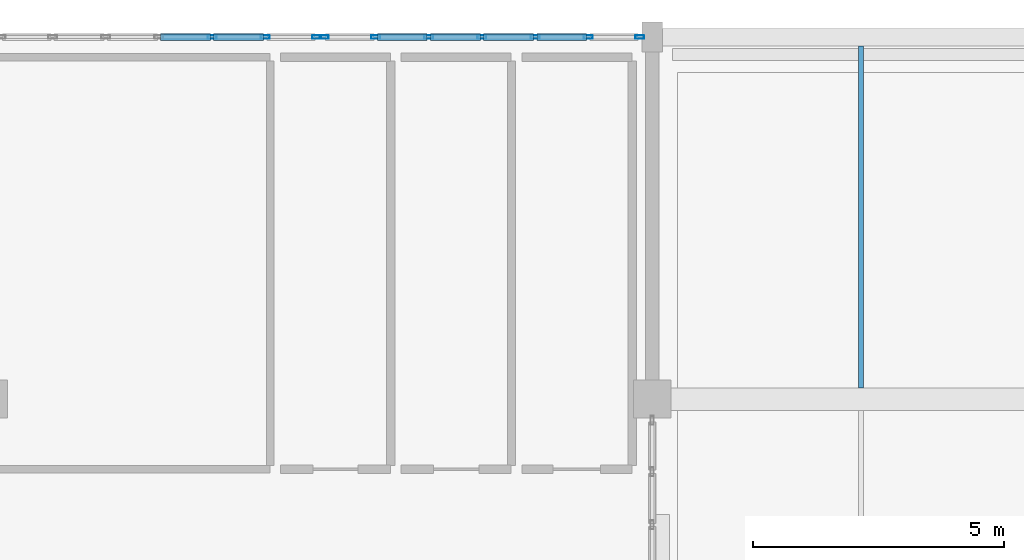
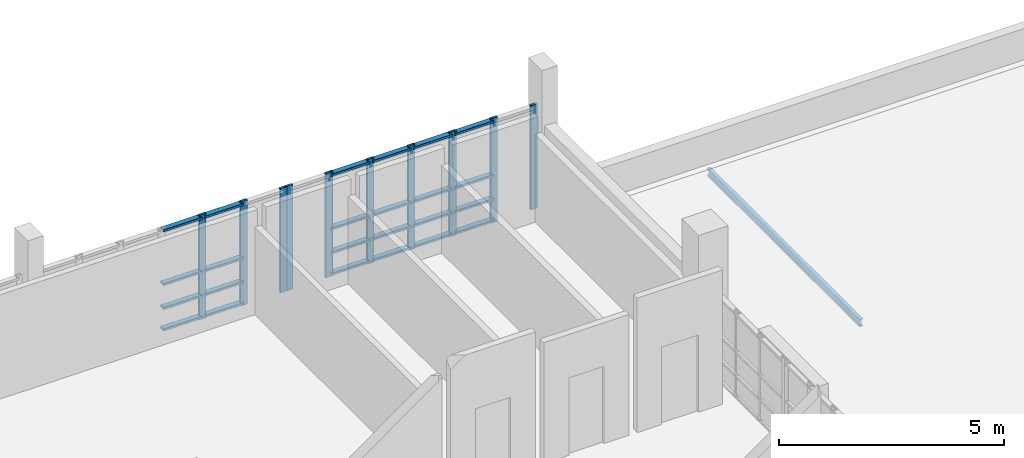
# One storey, part 125 of 188: 34 members, 1 beam, 2 elements without a shape of their own.
"""IFC4 building model written with IfcOpenShell, lengths in metres."""

from ifc_helpers import new_model, si_unit, direction, frame, origin, origin_2d, place, context, subcontext, project, spatial, hollow_rectangle, i_section, extrude, material, layer, layer_set, material_profile, profile_set, type_object, element, aggregate, save


model = new_model("IFC4")

# Units and contexts
model_context = context("Model", 3, precision=1e-05, world=origin(), true_north=direction((0.0, 1.0)))
body_context = subcontext(model_context, "Body", "Model", "MODEL_VIEW")
ifc_project = project(units=[si_unit("LENGTHUNIT", "METRE"), si_unit("AREAUNIT", "SQUARE_METRE"), si_unit("VOLUMEUNIT", "CUBIC_METRE"), si_unit("PLANEANGLEUNIT", "RADIAN"), si_unit("MASSUNIT", "GRAM", prefix="KILO")], contexts=[model_context])

# Site, building, storey
site_placement = place(None, origin())
site = spatial("IfcSite", under=ifc_project, at=site_placement, CompositionType="ELEMENT")
building_placement = place(site_placement, origin())
building = spatial("IfcBuilding", under=site, at=building_placement, Name="Kisaragi Civic Commons", CompositionType="ELEMENT")
storey_placement = place(building_placement, frame((0.0, 0.0, 9.60009765625)))
storey = spatial("IfcBuildingStorey", under=building, at=storey_placement, Name="L02", CompositionType="ELEMENT", Elevation=9.60009765625)

# Curtain wall, members
ifc_material_1 = material(Name="Thermally broken anodized aluminium and low-E double glazing", Category="aluminium")
ifc_layer = layer(ifc_material_1, 0.179931640625, Name="Thermally broken anodized aluminium and low-E double glazing", Category="aluminium")
ifc_layer_set = layer_set([ifc_layer], Name="Thermally broken anodized aluminium and low-E double glazing")
curtain_wall_type = type_object("IfcCurtainWallType", Name="CW-01", PredefinedType="NOTDEFINED", material=ifc_layer_set)
curtain_wall_1_placement = place(storey_placement, origin())
curtain_wall_1 = element("IfcCurtainWall", 1, at=curtain_wall_1_placement, inside=storey, type_object=curtain_wall_type, Name="L02 curtain wall CW-01 CW-V4-L02-087", PredefinedType="NOTDEFINED")
ifc_material_profile_1 = material_profile(ifc_material_1, hollow_rectangle(XDim=0.06494140625, YDim=0.179931640625, WallThickness=0.00439453125, InnerFilletRadius=0.00439453125, OuterFilletRadius=0.009033203125, at=origin_2d()), Name="CWM-65x180x4.5", Category="aluminium")
ifc_profile_set_1 = profile_set([ifc_material_profile_1], Name="Thermally broken anodized aluminium and low-E double glazing")
member_type_1 = type_object("IfcMemberType", Name="CWM-02", PredefinedType="MULLION", material=ifc_profile_set_1)
member_1_placement = place(storey_placement, frame((137.64501953125, 118.800048828125, 0.0), z_axis=(0.0, 0.0, 1.0), x_axis=(0.0, 1.0, 0.0)))
member_1 = element("IfcMember", 2, at=member_1_placement, type_object=member_type_1, Name="CW-01 mullion 5", PredefinedType="MULLION", context=body_context, shape_type="SweptSolid", body=[
    extrude(hollow_rectangle(XDim=0.06494140625, YDim=0.179931640625, WallThickness=0.00439453125, InnerFilletRadius=0.00439453125, OuterFilletRadius=0.009033203125, at=origin_2d()), origin(), (0.0, 0.0, 1.0), 2.829833984375),
])
member_2_placement = place(storey_placement, frame((138.702392578125, 118.800048828125, 0.0), z_axis=(0.0, 0.0, 1.0), x_axis=(0.0, 1.0, 0.0)))
member_2 = element("IfcMember", 3, at=member_2_placement, type_object=member_type_1, Name="CW-01 mullion 6", PredefinedType="MULLION", context=body_context, shape_type="SweptSolid", body=[
    extrude(hollow_rectangle(XDim=0.06494140625, YDim=0.179931640625, WallThickness=0.00439453125, InnerFilletRadius=0.00439453125, OuterFilletRadius=0.009033203125, at=origin_2d()), origin(), (0.0, 0.0, 1.0), 2.829833984375),
])
member_3_placement = place(storey_placement, frame((139.7275390625, 118.800048828125, 0.0), z_axis=(0.0, 0.0, 1.0), x_axis=(0.0, 1.0, 0.0)))
member_3 = element("IfcMember", 4, at=member_3_placement, type_object=member_type_1, Name="CW-01 mullion 7", PredefinedType="MULLION", context=body_context, shape_type="SweptSolid", body=[
    extrude(hollow_rectangle(XDim=0.06494140625, YDim=0.179931640625, WallThickness=0.00439453125, InnerFilletRadius=0.00439453125, OuterFilletRadius=0.009033203125, at=origin_2d()), origin(), (0.0, 0.0, 1.0), 2.829833984375),
])

curtain_wall_2_placement = place(storey_placement, origin())
curtain_wall_2 = element("IfcCurtainWall", 5, at=curtain_wall_2_placement, inside=storey, type_object=curtain_wall_type, Name="L02 curtain wall CW-01 CW-V4-L02-088", PredefinedType="NOTDEFINED")
member_4_placement = place(storey_placement, frame((139.87255859375, 118.800048828125, 0.0), z_axis=(0.0, 0.0, 1.0), x_axis=(0.0, 1.0, 0.0)))
member_4 = element("IfcMember", 6, at=member_4_placement, type_object=member_type_1, Name="CW-01 mullion 1", PredefinedType="MULLION", context=body_context, shape_type="SweptSolid", body=[
    extrude(hollow_rectangle(XDim=0.06494140625, YDim=0.179931640625, WallThickness=0.00439453125, InnerFilletRadius=0.00439453125, OuterFilletRadius=0.009033203125, at=origin_2d()), origin(), (0.0, 0.0, 1.0), 2.829833984375),
])
member_5_placement = place(storey_placement, frame((140.8974609375, 118.800048828125, 0.0), z_axis=(0.0, 0.0, 1.0), x_axis=(0.0, 1.0, 0.0)))
member_5 = element("IfcMember", 7, at=member_5_placement, type_object=member_type_1, Name="CW-01 mullion 2", PredefinedType="MULLION", context=body_context, shape_type="SweptSolid", body=[
    extrude(hollow_rectangle(XDim=0.06494140625, YDim=0.179931640625, WallThickness=0.00439453125, InnerFilletRadius=0.00439453125, OuterFilletRadius=0.009033203125, at=origin_2d()), origin(), (0.0, 0.0, 1.0), 2.829833984375),
])
member_6_placement = place(storey_placement, frame((141.955078125, 118.800048828125, 0.0), z_axis=(0.0, 0.0, 1.0), x_axis=(0.0, 1.0, 0.0)))
member_6 = element("IfcMember", 8, at=member_6_placement, type_object=member_type_1, Name="CW-01 mullion 3", PredefinedType="MULLION", context=body_context, shape_type="SweptSolid", body=[
    extrude(hollow_rectangle(XDim=0.06494140625, YDim=0.179931640625, WallThickness=0.00439453125, InnerFilletRadius=0.00439453125, OuterFilletRadius=0.009033203125, at=origin_2d()), origin(), (0.0, 0.0, 1.0), 2.829833984375),
])
member_7_placement = place(storey_placement, frame((143.012451171875, 118.800048828125, 0.0), z_axis=(0.0, 0.0, 1.0), x_axis=(0.0, 1.0, 0.0)))
member_7 = element("IfcMember", 9, at=member_7_placement, type_object=member_type_1, Name="CW-01 mullion 4", PredefinedType="MULLION", context=body_context, shape_type="SweptSolid", body=[
    extrude(hollow_rectangle(XDim=0.06494140625, YDim=0.179931640625, WallThickness=0.00439453125, InnerFilletRadius=0.00439453125, OuterFilletRadius=0.009033203125, at=origin_2d()), origin(), (0.0, 0.0, 1.0), 2.829833984375),
])
member_8_placement = place(storey_placement, frame((144.070068359375, 118.800048828125, 0.0), z_axis=(0.0, 0.0, 1.0), x_axis=(0.0, 1.0, 0.0)))
member_8 = element("IfcMember", 10, at=member_8_placement, type_object=member_type_1, Name="CW-01 mullion 5", PredefinedType="MULLION", context=body_context, shape_type="SweptSolid", body=[
    extrude(hollow_rectangle(XDim=0.06494140625, YDim=0.179931640625, WallThickness=0.00439453125, InnerFilletRadius=0.00439453125, OuterFilletRadius=0.009033203125, at=origin_2d()), origin(), (0.0, 0.0, 1.0), 2.829833984375),
])
member_9_placement = place(storey_placement, frame((145.12744140625, 118.800048828125, 0.0), z_axis=(0.0, 0.0, 1.0), x_axis=(0.0, 1.0, 0.0)))
member_9 = element("IfcMember", 11, at=member_9_placement, type_object=member_type_1, Name="CW-01 mullion 6", PredefinedType="MULLION", context=body_context, shape_type="SweptSolid", body=[
    extrude(hollow_rectangle(XDim=0.06494140625, YDim=0.179931640625, WallThickness=0.00439453125, InnerFilletRadius=0.00439453125, OuterFilletRadius=0.009033203125, at=origin_2d()), origin(), (0.0, 0.0, 1.0), 2.829833984375),
])
member_10_placement = place(storey_placement, frame((146.152587890625, 118.800048828125, 0.0), z_axis=(0.0, 0.0, 1.0), x_axis=(0.0, 1.0, 0.0)))
member_10 = element("IfcMember", 12, at=member_10_placement, type_object=member_type_1, Name="CW-01 mullion 7", PredefinedType="MULLION", context=body_context, shape_type="SweptSolid", body=[
    extrude(hollow_rectangle(XDim=0.06494140625, YDim=0.179931640625, WallThickness=0.00439453125, InnerFilletRadius=0.00439453125, OuterFilletRadius=0.009033203125, at=origin_2d()), origin(), (0.0, 0.0, 1.0), 2.829833984375),
])

# Member
ifc_material_profile_2 = material_profile(ifc_material_1, hollow_rectangle(XDim=0.139892578125, YDim=0.06494140625, WallThickness=0.00439453125, InnerFilletRadius=0.00439453125, OuterFilletRadius=0.009033203125, at=origin_2d()), Name="CWT-65x140x4.5", Category="aluminium")
ifc_profile_set_2 = profile_set([ifc_material_profile_2], Name="Thermally broken anodized aluminium and low-E double glazing")
member_type_2 = type_object("IfcMemberType", Name="CWT-02", PredefinedType="USERDEFINED", material=ifc_profile_set_2)
member_11_placement = place(storey_placement, frame((136.6201171875, 118.800048828125, 0.06982421875), z_axis=(1.0, 0.0, 0.0), x_axis=(0.0, 1.0, 0.0)))
member_11 = element("IfcMember", 13, at=member_11_placement, type_object=member_type_2, Name="CW-01 transom 4.1", ObjectType="TRANSOM", PredefinedType="USERDEFINED", context=body_context, shape_type="SweptSolid", body=[
    extrude(hollow_rectangle(XDim=0.139892578125, YDim=0.06494140625, WallThickness=0.00439453125, InnerFilletRadius=0.00439453125, OuterFilletRadius=0.009033203125, at=origin_2d()), origin(), (0.0, 0.0, 1.0), 0.992431640625),
])

member_12_placement = place(storey_placement, frame((136.6201171875, 118.800048828125, 0.64990234375), z_axis=(1.0, 0.0, 0.0), x_axis=(0.0, 1.0, 0.0)))
member_12 = element("IfcMember", 14, at=member_12_placement, type_object=member_type_2, Name="CW-01 transom 4.2", ObjectType="TRANSOM", PredefinedType="USERDEFINED", context=body_context, shape_type="SweptSolid", body=[
    extrude(hollow_rectangle(XDim=0.139892578125, YDim=0.06494140625, WallThickness=0.00439453125, InnerFilletRadius=0.00439453125, OuterFilletRadius=0.009033203125, at=origin_2d()), origin(), (0.0, 0.0, 1.0), 0.992431640625),
])

member_13_placement = place(storey_placement, frame((136.6201171875, 118.800048828125, 1.2998046875), z_axis=(1.0, 0.0, 0.0), x_axis=(0.0, 1.0, 0.0)))
member_13 = element("IfcMember", 15, at=member_13_placement, type_object=member_type_2, Name="CW-01 transom 4.3", ObjectType="TRANSOM", PredefinedType="USERDEFINED", context=body_context, shape_type="SweptSolid", body=[
    extrude(hollow_rectangle(XDim=0.139892578125, YDim=0.06494140625, WallThickness=0.00439453125, InnerFilletRadius=0.00439453125, OuterFilletRadius=0.009033203125, at=origin_2d()), origin(), (0.0, 0.0, 1.0), 0.992431640625),
])

member_14_placement = place(storey_placement, frame((136.6201171875, 118.800048828125, 2.760009765625), z_axis=(1.0, 0.0, 0.0), x_axis=(0.0, 1.0, 0.0)))
member_14 = element("IfcMember", 16, at=member_14_placement, type_object=member_type_2, Name="CW-01 transom 4.4", ObjectType="TRANSOM", PredefinedType="USERDEFINED", context=body_context, shape_type="SweptSolid", body=[
    extrude(hollow_rectangle(XDim=0.139892578125, YDim=0.06494140625, WallThickness=0.00439453125, InnerFilletRadius=0.00439453125, OuterFilletRadius=0.009033203125, at=origin_2d()), origin(), (0.0, 0.0, 1.0), 0.992431640625),
])

member_15_placement = place(storey_placement, frame((137.677490234375, 118.800048828125, 0.06982421875), z_axis=(1.0, 0.0, 0.0), x_axis=(0.0, 1.0, 0.0)))
member_15 = element("IfcMember", 17, at=member_15_placement, type_object=member_type_2, Name="CW-01 transom 5.1", ObjectType="TRANSOM", PredefinedType="USERDEFINED", context=body_context, shape_type="SweptSolid", body=[
    extrude(hollow_rectangle(XDim=0.139892578125, YDim=0.06494140625, WallThickness=0.00439453125, InnerFilletRadius=0.00439453125, OuterFilletRadius=0.009033203125, at=origin_2d()), origin(), (0.0, 0.0, 1.0), 0.992431640625),
])

member_16_placement = place(storey_placement, frame((137.677490234375, 118.800048828125, 0.64990234375), z_axis=(1.0, 0.0, 0.0), x_axis=(0.0, 1.0, 0.0)))
member_16 = element("IfcMember", 18, at=member_16_placement, type_object=member_type_2, Name="CW-01 transom 5.2", ObjectType="TRANSOM", PredefinedType="USERDEFINED", context=body_context, shape_type="SweptSolid", body=[
    extrude(hollow_rectangle(XDim=0.139892578125, YDim=0.06494140625, WallThickness=0.00439453125, InnerFilletRadius=0.00439453125, OuterFilletRadius=0.009033203125, at=origin_2d()), origin(), (0.0, 0.0, 1.0), 0.992431640625),
])

member_17_placement = place(storey_placement, frame((137.677490234375, 118.800048828125, 1.2998046875), z_axis=(1.0, 0.0, 0.0), x_axis=(0.0, 1.0, 0.0)))
member_17 = element("IfcMember", 19, at=member_17_placement, type_object=member_type_2, Name="CW-01 transom 5.3", ObjectType="TRANSOM", PredefinedType="USERDEFINED", context=body_context, shape_type="SweptSolid", body=[
    extrude(hollow_rectangle(XDim=0.139892578125, YDim=0.06494140625, WallThickness=0.00439453125, InnerFilletRadius=0.00439453125, OuterFilletRadius=0.009033203125, at=origin_2d()), origin(), (0.0, 0.0, 1.0), 0.992431640625),
])

member_18_placement = place(storey_placement, frame((137.677490234375, 118.800048828125, 2.760009765625), z_axis=(1.0, 0.0, 0.0), x_axis=(0.0, 1.0, 0.0)))
member_18 = element("IfcMember", 20, at=member_18_placement, type_object=member_type_2, Name="CW-01 transom 5.4", ObjectType="TRANSOM", PredefinedType="USERDEFINED", context=body_context, shape_type="SweptSolid", body=[
    extrude(hollow_rectangle(XDim=0.139892578125, YDim=0.06494140625, WallThickness=0.00439453125, InnerFilletRadius=0.00439453125, OuterFilletRadius=0.009033203125, at=origin_2d()), origin(), (0.0, 0.0, 1.0), 0.992431640625),
])

aggregate(curtain_wall_1, [member_1, member_2, member_3, member_11, member_12, member_13, member_14, member_15, member_16, member_17, member_18])

member_19_placement = place(storey_placement, frame((140.929931640625, 118.800048828125, 0.06982421875), z_axis=(1.0, 0.0, 0.0), x_axis=(0.0, 1.0, 0.0)))
member_19 = element("IfcMember", 21, at=member_19_placement, type_object=member_type_2, Name="CW-01 transom 2.1", ObjectType="TRANSOM", PredefinedType="USERDEFINED", context=body_context, shape_type="SweptSolid", body=[
    extrude(hollow_rectangle(XDim=0.139892578125, YDim=0.06494140625, WallThickness=0.00439453125, InnerFilletRadius=0.00439453125, OuterFilletRadius=0.009033203125, at=origin_2d()), origin(), (0.0, 0.0, 1.0), 0.99267578125),
])

member_20_placement = place(storey_placement, frame((140.929931640625, 118.800048828125, 0.64990234375), z_axis=(1.0, 0.0, 0.0), x_axis=(0.0, 1.0, 0.0)))
member_20 = element("IfcMember", 22, at=member_20_placement, type_object=member_type_2, Name="CW-01 transom 2.2", ObjectType="TRANSOM", PredefinedType="USERDEFINED", context=body_context, shape_type="SweptSolid", body=[
    extrude(hollow_rectangle(XDim=0.139892578125, YDim=0.06494140625, WallThickness=0.00439453125, InnerFilletRadius=0.00439453125, OuterFilletRadius=0.009033203125, at=origin_2d()), origin(), (0.0, 0.0, 1.0), 0.99267578125),
])

member_21_placement = place(storey_placement, frame((140.929931640625, 118.800048828125, 1.2998046875), z_axis=(1.0, 0.0, 0.0), x_axis=(0.0, 1.0, 0.0)))
member_21 = element("IfcMember", 23, at=member_21_placement, type_object=member_type_2, Name="CW-01 transom 2.3", ObjectType="TRANSOM", PredefinedType="USERDEFINED", context=body_context, shape_type="SweptSolid", body=[
    extrude(hollow_rectangle(XDim=0.139892578125, YDim=0.06494140625, WallThickness=0.00439453125, InnerFilletRadius=0.00439453125, OuterFilletRadius=0.009033203125, at=origin_2d()), origin(), (0.0, 0.0, 1.0), 0.99267578125),
])

member_22_placement = place(storey_placement, frame((140.929931640625, 118.800048828125, 2.760009765625), z_axis=(1.0, 0.0, 0.0), x_axis=(0.0, 1.0, 0.0)))
member_22 = element("IfcMember", 24, at=member_22_placement, type_object=member_type_2, Name="CW-01 transom 2.4", ObjectType="TRANSOM", PredefinedType="USERDEFINED", context=body_context, shape_type="SweptSolid", body=[
    extrude(hollow_rectangle(XDim=0.139892578125, YDim=0.06494140625, WallThickness=0.00439453125, InnerFilletRadius=0.00439453125, OuterFilletRadius=0.009033203125, at=origin_2d()), origin(), (0.0, 0.0, 1.0), 0.99267578125),
])

member_23_placement = place(storey_placement, frame((141.987548828125, 118.800048828125, 0.06982421875), z_axis=(1.0, 0.0, 0.0), x_axis=(0.0, 1.0, 0.0)))
member_23 = element("IfcMember", 25, at=member_23_placement, type_object=member_type_2, Name="CW-01 transom 3.1", ObjectType="TRANSOM", PredefinedType="USERDEFINED", context=body_context, shape_type="SweptSolid", body=[
    extrude(hollow_rectangle(XDim=0.139892578125, YDim=0.06494140625, WallThickness=0.00439453125, InnerFilletRadius=0.00439453125, OuterFilletRadius=0.009033203125, at=origin_2d()), origin(), (0.0, 0.0, 1.0), 0.992431640625),
])

member_24_placement = place(storey_placement, frame((141.987548828125, 118.800048828125, 0.64990234375), z_axis=(1.0, 0.0, 0.0), x_axis=(0.0, 1.0, 0.0)))
member_24 = element("IfcMember", 26, at=member_24_placement, type_object=member_type_2, Name="CW-01 transom 3.2", ObjectType="TRANSOM", PredefinedType="USERDEFINED", context=body_context, shape_type="SweptSolid", body=[
    extrude(hollow_rectangle(XDim=0.139892578125, YDim=0.06494140625, WallThickness=0.00439453125, InnerFilletRadius=0.00439453125, OuterFilletRadius=0.009033203125, at=origin_2d()), origin(), (0.0, 0.0, 1.0), 0.992431640625),
])

member_25_placement = place(storey_placement, frame((141.987548828125, 118.800048828125, 1.2998046875), z_axis=(1.0, 0.0, 0.0), x_axis=(0.0, 1.0, 0.0)))
member_25 = element("IfcMember", 27, at=member_25_placement, type_object=member_type_2, Name="CW-01 transom 3.3", ObjectType="TRANSOM", PredefinedType="USERDEFINED", context=body_context, shape_type="SweptSolid", body=[
    extrude(hollow_rectangle(XDim=0.139892578125, YDim=0.06494140625, WallThickness=0.00439453125, InnerFilletRadius=0.00439453125, OuterFilletRadius=0.009033203125, at=origin_2d()), origin(), (0.0, 0.0, 1.0), 0.992431640625),
])

member_26_placement = place(storey_placement, frame((141.987548828125, 118.800048828125, 2.760009765625), z_axis=(1.0, 0.0, 0.0), x_axis=(0.0, 1.0, 0.0)))
member_26 = element("IfcMember", 28, at=member_26_placement, type_object=member_type_2, Name="CW-01 transom 3.4", ObjectType="TRANSOM", PredefinedType="USERDEFINED", context=body_context, shape_type="SweptSolid", body=[
    extrude(hollow_rectangle(XDim=0.139892578125, YDim=0.06494140625, WallThickness=0.00439453125, InnerFilletRadius=0.00439453125, OuterFilletRadius=0.009033203125, at=origin_2d()), origin(), (0.0, 0.0, 1.0), 0.992431640625),
])

member_27_placement = place(storey_placement, frame((143.044921875, 118.800048828125, 0.06982421875), z_axis=(1.0, 0.0, 0.0), x_axis=(0.0, 1.0, 0.0)))
member_27 = element("IfcMember", 29, at=member_27_placement, type_object=member_type_2, Name="CW-01 transom 4.1", ObjectType="TRANSOM", PredefinedType="USERDEFINED", context=body_context, shape_type="SweptSolid", body=[
    extrude(hollow_rectangle(XDim=0.139892578125, YDim=0.06494140625, WallThickness=0.00439453125, InnerFilletRadius=0.00439453125, OuterFilletRadius=0.009033203125, at=origin_2d()), origin(), (0.0, 0.0, 1.0), 0.99267578125),
])

member_28_placement = place(storey_placement, frame((143.044921875, 118.800048828125, 0.64990234375), z_axis=(1.0, 0.0, 0.0), x_axis=(0.0, 1.0, 0.0)))
member_28 = element("IfcMember", 30, at=member_28_placement, type_object=member_type_2, Name="CW-01 transom 4.2", ObjectType="TRANSOM", PredefinedType="USERDEFINED", context=body_context, shape_type="SweptSolid", body=[
    extrude(hollow_rectangle(XDim=0.139892578125, YDim=0.06494140625, WallThickness=0.00439453125, InnerFilletRadius=0.00439453125, OuterFilletRadius=0.009033203125, at=origin_2d()), origin(), (0.0, 0.0, 1.0), 0.99267578125),
])

member_29_placement = place(storey_placement, frame((143.044921875, 118.800048828125, 1.2998046875), z_axis=(1.0, 0.0, 0.0), x_axis=(0.0, 1.0, 0.0)))
member_29 = element("IfcMember", 31, at=member_29_placement, type_object=member_type_2, Name="CW-01 transom 4.3", ObjectType="TRANSOM", PredefinedType="USERDEFINED", context=body_context, shape_type="SweptSolid", body=[
    extrude(hollow_rectangle(XDim=0.139892578125, YDim=0.06494140625, WallThickness=0.00439453125, InnerFilletRadius=0.00439453125, OuterFilletRadius=0.009033203125, at=origin_2d()), origin(), (0.0, 0.0, 1.0), 0.99267578125),
])

member_30_placement = place(storey_placement, frame((143.044921875, 118.800048828125, 2.760009765625), z_axis=(1.0, 0.0, 0.0), x_axis=(0.0, 1.0, 0.0)))
member_30 = element("IfcMember", 32, at=member_30_placement, type_object=member_type_2, Name="CW-01 transom 4.4", ObjectType="TRANSOM", PredefinedType="USERDEFINED", context=body_context, shape_type="SweptSolid", body=[
    extrude(hollow_rectangle(XDim=0.139892578125, YDim=0.06494140625, WallThickness=0.00439453125, InnerFilletRadius=0.00439453125, OuterFilletRadius=0.009033203125, at=origin_2d()), origin(), (0.0, 0.0, 1.0), 0.99267578125),
])

member_31_placement = place(storey_placement, frame((144.1025390625, 118.800048828125, 0.06982421875), z_axis=(1.0, 0.0, 0.0), x_axis=(0.0, 1.0, 0.0)))
member_31 = element("IfcMember", 33, at=member_31_placement, type_object=member_type_2, Name="CW-01 transom 5.1", ObjectType="TRANSOM", PredefinedType="USERDEFINED", context=body_context, shape_type="SweptSolid", body=[
    extrude(hollow_rectangle(XDim=0.139892578125, YDim=0.06494140625, WallThickness=0.00439453125, InnerFilletRadius=0.00439453125, OuterFilletRadius=0.009033203125, at=origin_2d()), origin(), (0.0, 0.0, 1.0), 0.992431640625),
])

member_32_placement = place(storey_placement, frame((144.1025390625, 118.800048828125, 0.64990234375), z_axis=(1.0, 0.0, 0.0), x_axis=(0.0, 1.0, 0.0)))
member_32 = element("IfcMember", 34, at=member_32_placement, type_object=member_type_2, Name="CW-01 transom 5.2", ObjectType="TRANSOM", PredefinedType="USERDEFINED", context=body_context, shape_type="SweptSolid", body=[
    extrude(hollow_rectangle(XDim=0.139892578125, YDim=0.06494140625, WallThickness=0.00439453125, InnerFilletRadius=0.00439453125, OuterFilletRadius=0.009033203125, at=origin_2d()), origin(), (0.0, 0.0, 1.0), 0.992431640625),
])

member_33_placement = place(storey_placement, frame((144.1025390625, 118.800048828125, 1.2998046875), z_axis=(1.0, 0.0, 0.0), x_axis=(0.0, 1.0, 0.0)))
member_33 = element("IfcMember", 35, at=member_33_placement, type_object=member_type_2, Name="CW-01 transom 5.3", ObjectType="TRANSOM", PredefinedType="USERDEFINED", context=body_context, shape_type="SweptSolid", body=[
    extrude(hollow_rectangle(XDim=0.139892578125, YDim=0.06494140625, WallThickness=0.00439453125, InnerFilletRadius=0.00439453125, OuterFilletRadius=0.009033203125, at=origin_2d()), origin(), (0.0, 0.0, 1.0), 0.992431640625),
])

member_34_placement = place(storey_placement, frame((144.1025390625, 118.800048828125, 2.760009765625), z_axis=(1.0, 0.0, 0.0), x_axis=(0.0, 1.0, 0.0)))
member_34 = element("IfcMember", 36, at=member_34_placement, type_object=member_type_2, Name="CW-01 transom 5.4", ObjectType="TRANSOM", PredefinedType="USERDEFINED", context=body_context, shape_type="SweptSolid", body=[
    extrude(hollow_rectangle(XDim=0.139892578125, YDim=0.06494140625, WallThickness=0.00439453125, InnerFilletRadius=0.00439453125, OuterFilletRadius=0.009033203125, at=origin_2d()), origin(), (0.0, 0.0, 1.0), 0.992431640625),
])

aggregate(curtain_wall_2, [member_4, member_5, member_6, member_7, member_8, member_9, member_10, member_19, member_20, member_21, member_22, member_23, member_24, member_25, member_26, member_27, member_28, member_29, member_30, member_31, member_32, member_33, member_34])

# Beam
ifc_material_2 = material(Name="Steel SN400 (SN400B)", Category="steel")
ifc_material_profile_3 = material_profile(ifc_material_2, i_section(OverallWidth=0.10009765625, OverallDepth=0.199951171875, WebThickness=0.005615234375, FlangeThickness=0.008056640625, FilletRadius=0.008056640625, at=origin_2d()), Name="H-200x100x5.5x8", Category="steel")
ifc_profile_set_3 = profile_set([ifc_material_profile_3], Name="Steel SN400 (SN400B)")
beam_type = type_object("IfcBeamType", Name="J-06", PredefinedType="JOIST", material=ifc_profile_set_3)
beam_placement = place(storey_placement, frame((150.550048828125, 111.824951171875, -0.420166015625), z_axis=(0.0, 1.0, 0.0), x_axis=(-1.0, 0.0, 0.0)))
element("IfcBeam", 37, at=beam_placement, inside=storey, type_object=beam_type, Name="L02 secondary steel joist J-06 69", PredefinedType="JOIST", context=body_context, shape_type="SweptSolid", body=[
    extrude(i_section(OverallWidth=0.10009765625, OverallDepth=0.199951171875, WebThickness=0.005615234375, FlangeThickness=0.008056640625, FilletRadius=0.008056640625, at=origin_2d()), origin(), (0.0, 0.0, 1.0), 6.800048828125),
])

save(model, "model.ifc")
